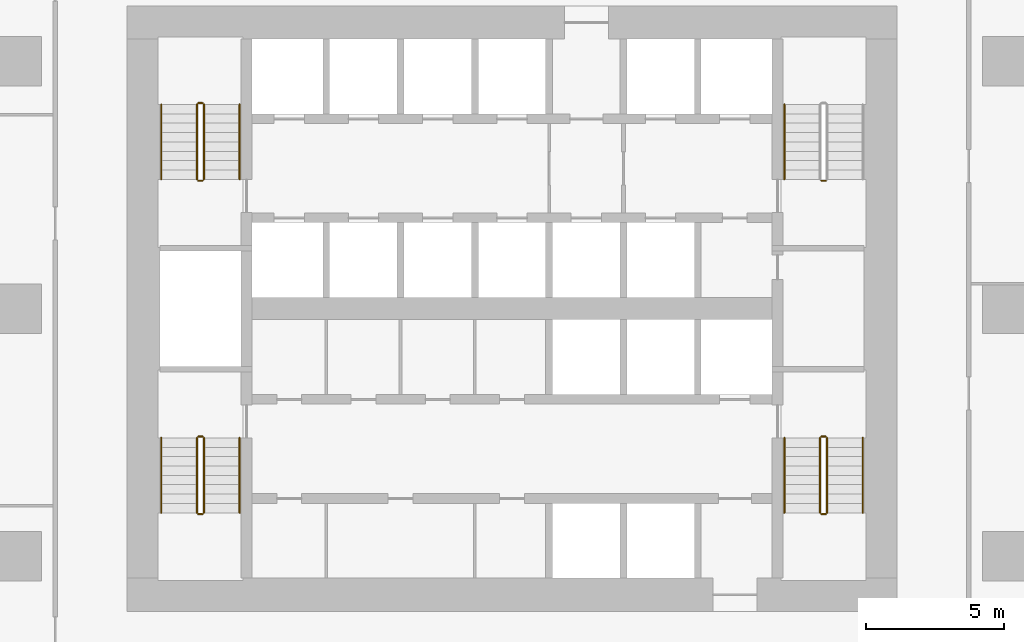
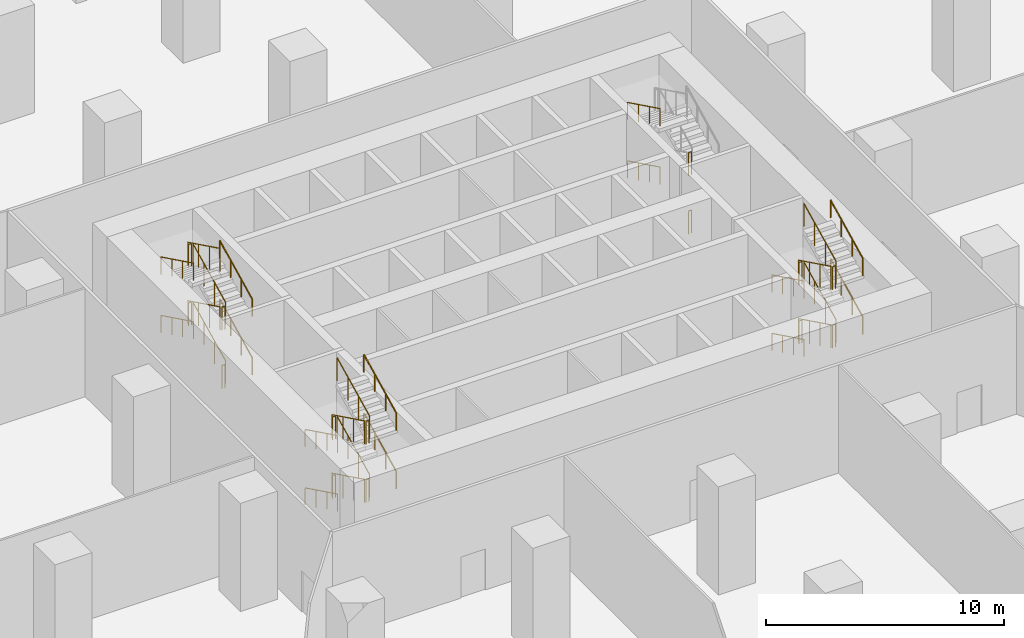
# One storey, part 14 of 15: 40 railings.
"""IFC4 building model written with IfcOpenShell, lengths in metres."""

from ifc_helpers import new_model, si_unit, direction, frame, origin, origin_2d, place, context, subcontext, project, spatial, circle, extrude, material, type_object, element, save


model = new_model("IFC4")

# Units and contexts
model_context = context("Model", 3, precision=1e-05, world=origin(), true_north=direction((0.0, 1.0)))
body_context = subcontext(model_context, "Body", "Model", "MODEL_VIEW")
ifc_project = project(units=[si_unit("LENGTHUNIT", "METRE"), si_unit("AREAUNIT", "SQUARE_METRE"), si_unit("VOLUMEUNIT", "CUBIC_METRE"), si_unit("PLANEANGLEUNIT", "RADIAN"), si_unit("MASSUNIT", "GRAM", prefix="KILO")], contexts=[model_context])

# Site, building, storey
site_placement = place(None, origin())
site = spatial("IfcSite", under=ifc_project, at=site_placement, CompositionType="ELEMENT")
building_placement = place(site_placement, origin())
building = spatial("IfcBuilding", under=site, at=building_placement, Name="Dongbaek Canopy Tower", CompositionType="ELEMENT")
storey_placement = place(building_placement, frame((0.0, 0.0, 27.0)))
storey = spatial("IfcBuildingStorey", under=building, at=storey_placement, Name="L03", CompositionType="ELEMENT", Elevation=27.0)

# Railings
ifc_material_1 = material(Name="Stainless steel tube and balusters", Category="steel")
railing_type_1 = type_object("IfcRailingType", Name="Stair guard 1200", PredefinedType="GUARDRAIL", material=ifc_material_1)
for number, where, name in (
    (1, (11.39990234375, 4.64990234375, 3.0), "L03 ST-A stair guard 4"),
    (2, (11.39990234375, 4.64990234375, 0.0), "L03 ST-A stair guard 8"),
):
    element("IfcRailing", number, at=place(storey_placement, frame(where)), inside=storey, type_object=railing_type_1, Name=name, PredefinedType="GUARDRAIL", context=body_context, shape_type="SweptSolid", body=[
        extrude(circle(Radius=0.02392578125, at=origin_2d()), frame((0.0, 0.0, 1.17578125), z_axis=(-1.0, 0.0, 0.0), x_axis=(0.0, -1.0, 0.0)), (0.0, 0.0, 1.0), 0.14990234375),
        extrude(circle(Radius=0.02099609375, at=origin_2d()), origin(), (0.0, 0.0, 1.0), 1.15185546875),
        extrude(circle(Radius=0.02099609375, at=origin_2d()), frame((-0.14990234375, 0.0, 0.0)), (0.0, 0.0, 1.0), 1.15185546875),
    ])
railing_1_placement = place(storey_placement, frame((-11.199951171875, 4.699951171875, 0.166748046875)))
element("IfcRailing", 3, at=railing_1_placement, inside=storey, type_object=railing_type_1, Name="L03 ST-C stair guard 1", PredefinedType="GUARDRAIL", context=body_context, shape_type="SweptSolid", body=[
    extrude(circle(Radius=0.02392578125, at=origin_2d()), frame((0.0, 0.0, 1.17578125), z_axis=(0.0, 0.897929466783, 0.4401393787), x_axis=(-1.0, 0.0, 0.0)), (0.0, 0.0, 1.0), 3.029052734375),
    extrude(circle(Radius=0.02099609375, at=origin_2d()), origin(), (0.0, 0.0, 1.0), 1.15185546875),
    extrude(circle(Radius=0.02099609375, at=origin_2d()), frame((0.0, 0.90673828125, 0.4443359375)), (0.0, 0.0, 1.0), 1.15185546875),
    extrude(circle(Radius=0.02099609375, at=origin_2d()), frame((0.0, 1.813232421875, 0.888916015625)), (0.0, 0.0, 1.0), 1.15185546875),
    extrude(circle(Radius=0.02099609375, at=origin_2d()), frame((0.0, 2.719970703125, 1.333251953125)), (0.0, 0.0, 1.0), 1.15185546875),
])
railing_2_placement = place(storey_placement, frame((-11.25, 7.469970703125, 1.5)))
element("IfcRailing", 4, at=railing_2_placement, inside=storey, type_object=railing_type_1, Name="L03 ST-C stair guard 2", PredefinedType="GUARDRAIL", context=body_context, shape_type="SweptSolid", body=[
    extrude(circle(Radius=0.02392578125, at=origin_2d()), frame((0.0, 0.0, 1.17578125), z_axis=(-1.0, 0.0, 0.0), x_axis=(0.0, -1.0, 0.0)), (0.0, 0.0, 1.0), 0.14990234375),
    extrude(circle(Radius=0.02099609375, at=origin_2d()), origin(), (0.0, 0.0, 1.0), 1.15185546875),
    extrude(circle(Radius=0.02099609375, at=origin_2d()), frame((-0.14990234375, 0.0, 0.0)), (0.0, 0.0, 1.0), 1.15185546875),
])
railing_3_placement = place(storey_placement, frame((-11.449951171875, 7.419921875, 1.666748046875)))
element("IfcRailing", 5, at=railing_3_placement, inside=storey, type_object=railing_type_1, Name="L03 ST-C stair guard 3", PredefinedType="GUARDRAIL", context=body_context, shape_type="SweptSolid", body=[
    extrude(circle(Radius=0.02392578125, at=origin_2d()), frame((0.0, 0.0, 1.17578125), z_axis=(0.0, -0.897929466783, 0.4401393787), x_axis=(1.0, 0.0, 0.0)), (0.0, 0.0, 1.0), 3.029052734375),
    extrude(circle(Radius=0.02099609375, at=origin_2d()), origin(), (0.0, 0.0, 1.0), 1.15185546875),
    extrude(circle(Radius=0.02099609375, at=origin_2d()), frame((0.0, -0.90673828125, 0.4443359375)), (0.0, 0.0, 1.0), 1.15185546875),
    extrude(circle(Radius=0.02099609375, at=origin_2d()), frame((0.0, -1.813232421875, 0.888916015625)), (0.0, 0.0, 1.0), 1.15185546875),
    extrude(circle(Radius=0.02099609375, at=origin_2d()), frame((0.0, -2.719970703125, 1.333251953125)), (0.0, 0.0, 1.0), 1.15185546875),
])
railing_4_placement = place(storey_placement, frame((-11.25, 4.64990234375, 3.0)))
element("IfcRailing", 6, at=railing_4_placement, inside=storey, type_object=railing_type_1, Name="L03 ST-C stair guard 4", PredefinedType="GUARDRAIL", context=body_context, shape_type="SweptSolid", body=[
    extrude(circle(Radius=0.02392578125, at=origin_2d()), frame((0.0, 0.0, 1.17578125), z_axis=(-1.0, 0.0, 0.0), x_axis=(0.0, -1.0, 0.0)), (0.0, 0.0, 1.0), 0.14990234375),
    extrude(circle(Radius=0.02099609375, at=origin_2d()), origin(), (0.0, 0.0, 1.0), 1.15185546875),
    extrude(circle(Radius=0.02099609375, at=origin_2d()), frame((-0.14990234375, 0.0, 0.0)), (0.0, 0.0, 1.0), 1.15185546875),
])
railing_5_placement = place(storey_placement, frame((-11.199951171875, 4.699951171875, 3.166748046875)))
element("IfcRailing", 7, at=railing_5_placement, inside=storey, type_object=railing_type_1, Name="L03 ST-C stair guard 5", PredefinedType="GUARDRAIL", context=body_context, shape_type="SweptSolid", body=[
    extrude(circle(Radius=0.02392578125, at=origin_2d()), frame((0.0, 0.0, 1.17578125), z_axis=(0.0, 0.897929466783, 0.4401393787), x_axis=(-1.0, 0.0, 0.0)), (0.0, 0.0, 1.0), 3.029052734375),
    extrude(circle(Radius=0.02099609375, at=origin_2d()), origin(), (0.0, 0.0, 1.0), 1.15185546875),
    extrude(circle(Radius=0.02099609375, at=origin_2d()), frame((0.0, 0.90673828125, 0.4443359375)), (0.0, 0.0, 1.0), 1.15185546875),
    extrude(circle(Radius=0.02099609375, at=origin_2d()), frame((0.0, 1.813232421875, 0.888916015625)), (0.0, 0.0, 1.0), 1.15185546875),
    extrude(circle(Radius=0.02099609375, at=origin_2d()), frame((0.0, 2.719970703125, 1.333251953125)), (0.0, 0.0, 1.0), 1.15185546875),
])
railing_6_placement = place(storey_placement, frame((-11.25, 7.469970703125, 4.5)))
element("IfcRailing", 8, at=railing_6_placement, inside=storey, type_object=railing_type_1, Name="L03 ST-C stair guard 6", PredefinedType="GUARDRAIL", context=body_context, shape_type="SweptSolid", body=[
    extrude(circle(Radius=0.02392578125, at=origin_2d()), frame((0.0, 0.0, 1.17578125), z_axis=(-1.0, 0.0, 0.0), x_axis=(0.0, -1.0, 0.0)), (0.0, 0.0, 1.0), 0.14990234375),
    extrude(circle(Radius=0.02099609375, at=origin_2d()), origin(), (0.0, 0.0, 1.0), 1.15185546875),
    extrude(circle(Radius=0.02099609375, at=origin_2d()), frame((-0.14990234375, 0.0, 0.0)), (0.0, 0.0, 1.0), 1.15185546875),
])
railing_7_placement = place(storey_placement, frame((-11.449951171875, 7.419921875, 4.666748046875)))
element("IfcRailing", 9, at=railing_7_placement, inside=storey, type_object=railing_type_1, Name="L03 ST-C stair guard 7", PredefinedType="GUARDRAIL", context=body_context, shape_type="SweptSolid", body=[
    extrude(circle(Radius=0.02392578125, at=origin_2d()), frame((0.0, 0.0, 1.17578125), z_axis=(0.0, -0.897929466783, 0.4401393787), x_axis=(1.0, 0.0, 0.0)), (0.0, 0.0, 1.0), 3.029052734375),
    extrude(circle(Radius=0.02099609375, at=origin_2d()), origin(), (0.0, 0.0, 1.0), 1.15185546875),
    extrude(circle(Radius=0.02099609375, at=origin_2d()), frame((0.0, -0.90673828125, 0.4443359375)), (0.0, 0.0, 1.0), 1.15185546875),
    extrude(circle(Radius=0.02099609375, at=origin_2d()), frame((0.0, -1.813232421875, 0.888916015625)), (0.0, 0.0, 1.0), 1.15185546875),
    extrude(circle(Radius=0.02099609375, at=origin_2d()), frame((0.0, -2.719970703125, 1.333251953125)), (0.0, 0.0, 1.0), 1.15185546875),
])
railing_8_placement = place(storey_placement, frame((-11.25, 4.64990234375, 0.0)))
element("IfcRailing", 10, at=railing_8_placement, inside=storey, type_object=railing_type_1, Name="L03 ST-C stair guard 8", PredefinedType="GUARDRAIL", context=body_context, shape_type="SweptSolid", body=[
    extrude(circle(Radius=0.02392578125, at=origin_2d()), frame((0.0, 0.0, 1.17578125), z_axis=(-1.0, 0.0, 0.0), x_axis=(0.0, -1.0, 0.0)), (0.0, 0.0, 1.0), 0.14990234375),
    extrude(circle(Radius=0.02099609375, at=origin_2d()), origin(), (0.0, 0.0, 1.0), 1.15185546875),
    extrude(circle(Radius=0.02099609375, at=origin_2d()), frame((-0.14990234375, 0.0, 0.0)), (0.0, 0.0, 1.0), 1.15185546875),
])
railing_9_placement = place(storey_placement, frame((11.199951171875, -4.699951171875, 0.166748046875)))
element("IfcRailing", 11, at=railing_9_placement, inside=storey, type_object=railing_type_1, Name="L03 ST-B stair guard 1", PredefinedType="GUARDRAIL", context=body_context, shape_type="SweptSolid", body=[
    extrude(circle(Radius=0.02392578125, at=origin_2d()), frame((0.0, 0.0, 1.17578125), z_axis=(0.0, -0.897929466783, 0.4401393787), x_axis=(1.0, 0.0, 0.0)), (0.0, 0.0, 1.0), 3.029052734375),
    extrude(circle(Radius=0.02099609375, at=origin_2d()), origin(), (0.0, 0.0, 1.0), 1.15185546875),
    extrude(circle(Radius=0.02099609375, at=origin_2d()), frame((0.0, -0.90673828125, 0.4443359375)), (0.0, 0.0, 1.0), 1.15185546875),
    extrude(circle(Radius=0.02099609375, at=origin_2d()), frame((0.0, -1.813232421875, 0.888916015625)), (0.0, 0.0, 1.0), 1.15185546875),
    extrude(circle(Radius=0.02099609375, at=origin_2d()), frame((0.0, -2.719970703125, 1.333251953125)), (0.0, 0.0, 1.0), 1.15185546875),
])
railing_10_placement = place(storey_placement, frame((11.25, -7.469970703125, 1.5)))
element("IfcRailing", 12, at=railing_10_placement, inside=storey, type_object=railing_type_1, Name="L03 ST-B stair guard 2", PredefinedType="GUARDRAIL", context=body_context, shape_type="SweptSolid", body=[
    extrude(circle(Radius=0.02392578125, at=origin_2d()), frame((0.0, 0.0, 1.17578125), z_axis=(1.0, 0.0, 0.0), x_axis=(0.0, 1.0, 0.0)), (0.0, 0.0, 1.0), 0.14990234375),
    extrude(circle(Radius=0.02099609375, at=origin_2d()), origin(), (0.0, 0.0, 1.0), 1.15185546875),
    extrude(circle(Radius=0.02099609375, at=origin_2d()), frame((0.14990234375, 0.0, 0.0)), (0.0, 0.0, 1.0), 1.15185546875),
])
railing_11_placement = place(storey_placement, frame((11.449951171875, -7.419921875, 1.666748046875)))
element("IfcRailing", 13, at=railing_11_placement, inside=storey, type_object=railing_type_1, Name="L03 ST-B stair guard 3", PredefinedType="GUARDRAIL", context=body_context, shape_type="SweptSolid", body=[
    extrude(circle(Radius=0.02392578125, at=origin_2d()), frame((0.0, 0.0, 1.17578125), z_axis=(0.0, 0.897929466783, 0.4401393787), x_axis=(-1.0, 0.0, 0.0)), (0.0, 0.0, 1.0), 3.029052734375),
    extrude(circle(Radius=0.02099609375, at=origin_2d()), origin(), (0.0, 0.0, 1.0), 1.15185546875),
    extrude(circle(Radius=0.02099609375, at=origin_2d()), frame((0.0, 0.90673828125, 0.4443359375)), (0.0, 0.0, 1.0), 1.15185546875),
    extrude(circle(Radius=0.02099609375, at=origin_2d()), frame((0.0, 1.813232421875, 0.888916015625)), (0.0, 0.0, 1.0), 1.15185546875),
    extrude(circle(Radius=0.02099609375, at=origin_2d()), frame((0.0, 2.719970703125, 1.333251953125)), (0.0, 0.0, 1.0), 1.15185546875),
])
railing_12_placement = place(storey_placement, frame((11.25, -4.64990234375, 3.0)))
element("IfcRailing", 14, at=railing_12_placement, inside=storey, type_object=railing_type_1, Name="L03 ST-B stair guard 4", PredefinedType="GUARDRAIL", context=body_context, shape_type="SweptSolid", body=[
    extrude(circle(Radius=0.02392578125, at=origin_2d()), frame((0.0, 0.0, 1.17578125), z_axis=(1.0, 0.0, 0.0), x_axis=(0.0, 1.0, 0.0)), (0.0, 0.0, 1.0), 0.14990234375),
    extrude(circle(Radius=0.02099609375, at=origin_2d()), origin(), (0.0, 0.0, 1.0), 1.15185546875),
    extrude(circle(Radius=0.02099609375, at=origin_2d()), frame((0.14990234375, 0.0, 0.0)), (0.0, 0.0, 1.0), 1.15185546875),
])
railing_13_placement = place(storey_placement, frame((11.199951171875, -4.699951171875, 3.166748046875)))
element("IfcRailing", 15, at=railing_13_placement, inside=storey, type_object=railing_type_1, Name="L03 ST-B stair guard 5", PredefinedType="GUARDRAIL", context=body_context, shape_type="SweptSolid", body=[
    extrude(circle(Radius=0.02392578125, at=origin_2d()), frame((0.0, 0.0, 1.17578125), z_axis=(0.0, -0.897929466783, 0.4401393787), x_axis=(1.0, 0.0, 0.0)), (0.0, 0.0, 1.0), 3.029052734375),
    extrude(circle(Radius=0.02099609375, at=origin_2d()), origin(), (0.0, 0.0, 1.0), 1.15185546875),
    extrude(circle(Radius=0.02099609375, at=origin_2d()), frame((0.0, -0.90673828125, 0.4443359375)), (0.0, 0.0, 1.0), 1.15185546875),
    extrude(circle(Radius=0.02099609375, at=origin_2d()), frame((0.0, -1.813232421875, 0.888916015625)), (0.0, 0.0, 1.0), 1.15185546875),
    extrude(circle(Radius=0.02099609375, at=origin_2d()), frame((0.0, -2.719970703125, 1.333251953125)), (0.0, 0.0, 1.0), 1.15185546875),
])
railing_14_placement = place(storey_placement, frame((11.25, -7.469970703125, 4.5)))
element("IfcRailing", 16, at=railing_14_placement, inside=storey, type_object=railing_type_1, Name="L03 ST-B stair guard 6", PredefinedType="GUARDRAIL", context=body_context, shape_type="SweptSolid", body=[
    extrude(circle(Radius=0.02392578125, at=origin_2d()), frame((0.0, 0.0, 1.17578125), z_axis=(1.0, 0.0, 0.0), x_axis=(0.0, 1.0, 0.0)), (0.0, 0.0, 1.0), 0.14990234375),
    extrude(circle(Radius=0.02099609375, at=origin_2d()), origin(), (0.0, 0.0, 1.0), 1.15185546875),
    extrude(circle(Radius=0.02099609375, at=origin_2d()), frame((0.14990234375, 0.0, 0.0)), (0.0, 0.0, 1.0), 1.15185546875),
])
railing_15_placement = place(storey_placement, frame((11.449951171875, -7.419921875, 4.666748046875)))
element("IfcRailing", 17, at=railing_15_placement, inside=storey, type_object=railing_type_1, Name="L03 ST-B stair guard 7", PredefinedType="GUARDRAIL", context=body_context, shape_type="SweptSolid", body=[
    extrude(circle(Radius=0.02392578125, at=origin_2d()), frame((0.0, 0.0, 1.17578125), z_axis=(0.0, 0.897929466783, 0.4401393787), x_axis=(-1.0, 0.0, 0.0)), (0.0, 0.0, 1.0), 3.029052734375),
    extrude(circle(Radius=0.02099609375, at=origin_2d()), origin(), (0.0, 0.0, 1.0), 1.15185546875),
    extrude(circle(Radius=0.02099609375, at=origin_2d()), frame((0.0, 0.90673828125, 0.4443359375)), (0.0, 0.0, 1.0), 1.15185546875),
    extrude(circle(Radius=0.02099609375, at=origin_2d()), frame((0.0, 1.813232421875, 0.888916015625)), (0.0, 0.0, 1.0), 1.15185546875),
    extrude(circle(Radius=0.02099609375, at=origin_2d()), frame((0.0, 2.719970703125, 1.333251953125)), (0.0, 0.0, 1.0), 1.15185546875),
])
railing_16_placement = place(storey_placement, frame((11.25, -4.64990234375, 0.0)))
element("IfcRailing", 18, at=railing_16_placement, inside=storey, type_object=railing_type_1, Name="L03 ST-B stair guard 8", PredefinedType="GUARDRAIL", context=body_context, shape_type="SweptSolid", body=[
    extrude(circle(Radius=0.02392578125, at=origin_2d()), frame((0.0, 0.0, 1.17578125), z_axis=(1.0, 0.0, 0.0), x_axis=(0.0, 1.0, 0.0)), (0.0, 0.0, 1.0), 0.14990234375),
    extrude(circle(Radius=0.02099609375, at=origin_2d()), origin(), (0.0, 0.0, 1.0), 1.15185546875),
    extrude(circle(Radius=0.02099609375, at=origin_2d()), frame((0.14990234375, 0.0, 0.0)), (0.0, 0.0, 1.0), 1.15185546875),
])
railing_17_placement = place(storey_placement, frame((-11.449951171875, -4.699951171875, 0.166748046875)))
element("IfcRailing", 19, at=railing_17_placement, inside=storey, type_object=railing_type_1, Name="L03 ST-D stair guard 1", PredefinedType="GUARDRAIL", context=body_context, shape_type="SweptSolid", body=[
    extrude(circle(Radius=0.02392578125, at=origin_2d()), frame((0.0, 0.0, 1.17578125), z_axis=(0.0, -0.897929466783, 0.4401393787), x_axis=(1.0, 0.0, 0.0)), (0.0, 0.0, 1.0), 3.029052734375),
    extrude(circle(Radius=0.02099609375, at=origin_2d()), origin(), (0.0, 0.0, 1.0), 1.15185546875),
    extrude(circle(Radius=0.02099609375, at=origin_2d()), frame((0.0, -0.90673828125, 0.4443359375)), (0.0, 0.0, 1.0), 1.15185546875),
    extrude(circle(Radius=0.02099609375, at=origin_2d()), frame((0.0, -1.813232421875, 0.888916015625)), (0.0, 0.0, 1.0), 1.15185546875),
    extrude(circle(Radius=0.02099609375, at=origin_2d()), frame((0.0, -2.719970703125, 1.333251953125)), (0.0, 0.0, 1.0), 1.15185546875),
])
railing_18_placement = place(storey_placement, frame((-11.39990234375, -7.469970703125, 1.5)))
element("IfcRailing", 20, at=railing_18_placement, inside=storey, type_object=railing_type_1, Name="L03 ST-D stair guard 2", PredefinedType="GUARDRAIL", context=body_context, shape_type="SweptSolid", body=[
    extrude(circle(Radius=0.02392578125, at=origin_2d()), frame((0.0, 0.0, 1.17578125), z_axis=(1.0, 0.0, 0.0), x_axis=(0.0, 1.0, 0.0)), (0.0, 0.0, 1.0), 0.14990234375),
    extrude(circle(Radius=0.02099609375, at=origin_2d()), origin(), (0.0, 0.0, 1.0), 1.15185546875),
    extrude(circle(Radius=0.02099609375, at=origin_2d()), frame((0.14990234375, 0.0, 0.0)), (0.0, 0.0, 1.0), 1.15185546875),
])
railing_19_placement = place(storey_placement, frame((-11.199951171875, -7.419921875, 1.666748046875)))
element("IfcRailing", 21, at=railing_19_placement, inside=storey, type_object=railing_type_1, Name="L03 ST-D stair guard 3", PredefinedType="GUARDRAIL", context=body_context, shape_type="SweptSolid", body=[
    extrude(circle(Radius=0.02392578125, at=origin_2d()), frame((0.0, 0.0, 1.17578125), z_axis=(0.0, 0.897929466783, 0.4401393787), x_axis=(-1.0, 0.0, 0.0)), (0.0, 0.0, 1.0), 3.029052734375),
    extrude(circle(Radius=0.02099609375, at=origin_2d()), origin(), (0.0, 0.0, 1.0), 1.15185546875),
    extrude(circle(Radius=0.02099609375, at=origin_2d()), frame((0.0, 0.90673828125, 0.4443359375)), (0.0, 0.0, 1.0), 1.15185546875),
    extrude(circle(Radius=0.02099609375, at=origin_2d()), frame((0.0, 1.813232421875, 0.888916015625)), (0.0, 0.0, 1.0), 1.15185546875),
    extrude(circle(Radius=0.02099609375, at=origin_2d()), frame((0.0, 2.719970703125, 1.333251953125)), (0.0, 0.0, 1.0), 1.15185546875),
])
railing_20_placement = place(storey_placement, frame((-11.39990234375, -4.64990234375, 3.0)))
element("IfcRailing", 22, at=railing_20_placement, inside=storey, type_object=railing_type_1, Name="L03 ST-D stair guard 4", PredefinedType="GUARDRAIL", context=body_context, shape_type="SweptSolid", body=[
    extrude(circle(Radius=0.02392578125, at=origin_2d()), frame((0.0, 0.0, 1.17578125), z_axis=(1.0, 0.0, 0.0), x_axis=(0.0, 1.0, 0.0)), (0.0, 0.0, 1.0), 0.14990234375),
    extrude(circle(Radius=0.02099609375, at=origin_2d()), origin(), (0.0, 0.0, 1.0), 1.15185546875),
    extrude(circle(Radius=0.02099609375, at=origin_2d()), frame((0.14990234375, 0.0, 0.0)), (0.0, 0.0, 1.0), 1.15185546875),
])
railing_21_placement = place(storey_placement, frame((-11.449951171875, -4.699951171875, 3.166748046875)))
element("IfcRailing", 23, at=railing_21_placement, inside=storey, type_object=railing_type_1, Name="L03 ST-D stair guard 5", PredefinedType="GUARDRAIL", context=body_context, shape_type="SweptSolid", body=[
    extrude(circle(Radius=0.02392578125, at=origin_2d()), frame((0.0, 0.0, 1.17578125), z_axis=(0.0, -0.897929466783, 0.4401393787), x_axis=(1.0, 0.0, 0.0)), (0.0, 0.0, 1.0), 3.029052734375),
    extrude(circle(Radius=0.02099609375, at=origin_2d()), origin(), (0.0, 0.0, 1.0), 1.15185546875),
    extrude(circle(Radius=0.02099609375, at=origin_2d()), frame((0.0, -0.90673828125, 0.4443359375)), (0.0, 0.0, 1.0), 1.15185546875),
    extrude(circle(Radius=0.02099609375, at=origin_2d()), frame((0.0, -1.813232421875, 0.888916015625)), (0.0, 0.0, 1.0), 1.15185546875),
    extrude(circle(Radius=0.02099609375, at=origin_2d()), frame((0.0, -2.719970703125, 1.333251953125)), (0.0, 0.0, 1.0), 1.15185546875),
])
railing_22_placement = place(storey_placement, frame((-11.39990234375, -7.469970703125, 4.5)))
element("IfcRailing", 24, at=railing_22_placement, inside=storey, type_object=railing_type_1, Name="L03 ST-D stair guard 6", PredefinedType="GUARDRAIL", context=body_context, shape_type="SweptSolid", body=[
    extrude(circle(Radius=0.02392578125, at=origin_2d()), frame((0.0, 0.0, 1.17578125), z_axis=(1.0, 0.0, 0.0), x_axis=(0.0, 1.0, 0.0)), (0.0, 0.0, 1.0), 0.14990234375),
    extrude(circle(Radius=0.02099609375, at=origin_2d()), origin(), (0.0, 0.0, 1.0), 1.15185546875),
    extrude(circle(Radius=0.02099609375, at=origin_2d()), frame((0.14990234375, 0.0, 0.0)), (0.0, 0.0, 1.0), 1.15185546875),
])
railing_23_placement = place(storey_placement, frame((-11.199951171875, -7.419921875, 4.666748046875)))
element("IfcRailing", 25, at=railing_23_placement, inside=storey, type_object=railing_type_1, Name="L03 ST-D stair guard 7", PredefinedType="GUARDRAIL", context=body_context, shape_type="SweptSolid", body=[
    extrude(circle(Radius=0.02392578125, at=origin_2d()), frame((0.0, 0.0, 1.17578125), z_axis=(0.0, 0.897929466783, 0.4401393787), x_axis=(-1.0, 0.0, 0.0)), (0.0, 0.0, 1.0), 3.029052734375),
    extrude(circle(Radius=0.02099609375, at=origin_2d()), origin(), (0.0, 0.0, 1.0), 1.15185546875),
    extrude(circle(Radius=0.02099609375, at=origin_2d()), frame((0.0, 0.90673828125, 0.4443359375)), (0.0, 0.0, 1.0), 1.15185546875),
    extrude(circle(Radius=0.02099609375, at=origin_2d()), frame((0.0, 1.813232421875, 0.888916015625)), (0.0, 0.0, 1.0), 1.15185546875),
    extrude(circle(Radius=0.02099609375, at=origin_2d()), frame((0.0, 2.719970703125, 1.333251953125)), (0.0, 0.0, 1.0), 1.15185546875),
])
railing_24_placement = place(storey_placement, frame((-11.39990234375, -4.64990234375, 0.0)))
element("IfcRailing", 26, at=railing_24_placement, inside=storey, type_object=railing_type_1, Name="L03 ST-D stair guard 8", PredefinedType="GUARDRAIL", context=body_context, shape_type="SweptSolid", body=[
    extrude(circle(Radius=0.02392578125, at=origin_2d()), frame((0.0, 0.0, 1.17578125), z_axis=(1.0, 0.0, 0.0), x_axis=(0.0, 1.0, 0.0)), (0.0, 0.0, 1.0), 0.14990234375),
    extrude(circle(Radius=0.02099609375, at=origin_2d()), origin(), (0.0, 0.0, 1.0), 1.15185546875),
    extrude(circle(Radius=0.02099609375, at=origin_2d()), frame((0.14990234375, 0.0, 0.0)), (0.0, 0.0, 1.0), 1.15185546875),
])
ifc_material_2 = material(Name="Stainless steel tube", Category="steel")
railing_type_2 = type_object("IfcRailingType", Name="Stair handrail 900", PredefinedType="HANDRAIL", material=ifc_material_2)
for number, where, name in (
    (27, (9.89990234375, 7.419921875, 1.666748046875), "L03 ST-A stair handrail 2"),
    (28, (9.89990234375, 7.419921875, 4.666748046875), "L03 ST-A stair handrail 4"),
):
    element("IfcRailing", number, at=place(storey_placement, frame(where)), inside=storey, type_object=railing_type_2, Name=name, PredefinedType="HANDRAIL", context=body_context, shape_type="SweptSolid", body=[
        extrude(circle(Radius=0.02392578125, at=origin_2d()), frame((0.0, 0.0, 0.8759765625), z_axis=(0.0, -0.897929466783, 0.4401393787), x_axis=(1.0, 0.0, 0.0)), (0.0, 0.0, 1.0), 3.029052734375),
        extrude(circle(Radius=0.02099609375, at=origin_2d()), origin(), (0.0, 0.0, 1.0), 0.851806640625),
        extrude(circle(Radius=0.02099609375, at=origin_2d()), frame((0.0, -0.90673828125, 0.4443359375)), (0.0, 0.0, 1.0), 0.851806640625),
        extrude(circle(Radius=0.02099609375, at=origin_2d()), frame((0.0, -1.813232421875, 0.888916015625)), (0.0, 0.0, 1.0), 0.851806640625),
        extrude(circle(Radius=0.02099609375, at=origin_2d()), frame((0.0, -2.719970703125, 1.333251953125)), (0.0, 0.0, 1.0), 0.851806640625),
    ])
railing_25_placement = place(storey_placement, frame((-9.89990234375, 4.699951171875, 0.166748046875)))
element("IfcRailing", 29, at=railing_25_placement, inside=storey, type_object=railing_type_2, Name="L03 ST-C stair handrail 1", PredefinedType="HANDRAIL", context=body_context, shape_type="SweptSolid", body=[
    extrude(circle(Radius=0.02392578125, at=origin_2d()), frame((0.0, 0.0, 0.8759765625), z_axis=(0.0, 0.897929466783, 0.4401393787), x_axis=(-1.0, 0.0, 0.0)), (0.0, 0.0, 1.0), 3.029052734375),
    extrude(circle(Radius=0.02099609375, at=origin_2d()), origin(), (0.0, 0.0, 1.0), 0.851806640625),
    extrude(circle(Radius=0.02099609375, at=origin_2d()), frame((0.0, 0.90673828125, 0.4443359375)), (0.0, 0.0, 1.0), 0.851806640625),
    extrude(circle(Radius=0.02099609375, at=origin_2d()), frame((0.0, 1.813232421875, 0.888916015625)), (0.0, 0.0, 1.0), 0.851806640625),
    extrude(circle(Radius=0.02099609375, at=origin_2d()), frame((0.0, 2.719970703125, 1.333251953125)), (0.0, 0.0, 1.0), 0.851806640625),
])
railing_26_placement = place(storey_placement, frame((-12.75, 7.419921875, 1.666748046875)))
element("IfcRailing", 30, at=railing_26_placement, inside=storey, type_object=railing_type_2, Name="L03 ST-C stair handrail 2", PredefinedType="HANDRAIL", context=body_context, shape_type="SweptSolid", body=[
    extrude(circle(Radius=0.02392578125, at=origin_2d()), frame((0.0, 0.0, 0.8759765625), z_axis=(0.0, -0.897929466783, 0.4401393787), x_axis=(1.0, 0.0, 0.0)), (0.0, 0.0, 1.0), 3.029052734375),
    extrude(circle(Radius=0.02099609375, at=origin_2d()), origin(), (0.0, 0.0, 1.0), 0.851806640625),
    extrude(circle(Radius=0.02099609375, at=origin_2d()), frame((0.0, -0.90673828125, 0.4443359375)), (0.0, 0.0, 1.0), 0.851806640625),
    extrude(circle(Radius=0.02099609375, at=origin_2d()), frame((0.0, -1.813232421875, 0.888916015625)), (0.0, 0.0, 1.0), 0.851806640625),
    extrude(circle(Radius=0.02099609375, at=origin_2d()), frame((0.0, -2.719970703125, 1.333251953125)), (0.0, 0.0, 1.0), 0.851806640625),
])
railing_27_placement = place(storey_placement, frame((-9.89990234375, 4.699951171875, 3.166748046875)))
element("IfcRailing", 31, at=railing_27_placement, inside=storey, type_object=railing_type_2, Name="L03 ST-C stair handrail 3", PredefinedType="HANDRAIL", context=body_context, shape_type="SweptSolid", body=[
    extrude(circle(Radius=0.02392578125, at=origin_2d()), frame((0.0, 0.0, 0.8759765625), z_axis=(0.0, 0.897929466783, 0.4401393787), x_axis=(-1.0, 0.0, 0.0)), (0.0, 0.0, 1.0), 3.029052734375),
    extrude(circle(Radius=0.02099609375, at=origin_2d()), origin(), (0.0, 0.0, 1.0), 0.851806640625),
    extrude(circle(Radius=0.02099609375, at=origin_2d()), frame((0.0, 0.90673828125, 0.4443359375)), (0.0, 0.0, 1.0), 0.851806640625),
    extrude(circle(Radius=0.02099609375, at=origin_2d()), frame((0.0, 1.813232421875, 0.888916015625)), (0.0, 0.0, 1.0), 0.851806640625),
    extrude(circle(Radius=0.02099609375, at=origin_2d()), frame((0.0, 2.719970703125, 1.333251953125)), (0.0, 0.0, 1.0), 0.851806640625),
])
for number, where, name in (
    (32, (-12.75, 7.419921875, 4.666748046875), "L03 ST-C stair handrail 4"),
    (33, (9.89990234375, -4.699951171875, 0.166748046875), "L03 ST-B stair handrail 1"),
):
    element("IfcRailing", number, at=place(storey_placement, frame(where)), inside=storey, type_object=railing_type_2, Name=name, PredefinedType="HANDRAIL", context=body_context, shape_type="SweptSolid", body=[
        extrude(circle(Radius=0.02392578125, at=origin_2d()), frame((0.0, 0.0, 0.8759765625), z_axis=(0.0, -0.897929466783, 0.4401393787), x_axis=(1.0, 0.0, 0.0)), (0.0, 0.0, 1.0), 3.029052734375),
        extrude(circle(Radius=0.02099609375, at=origin_2d()), origin(), (0.0, 0.0, 1.0), 0.851806640625),
        extrude(circle(Radius=0.02099609375, at=origin_2d()), frame((0.0, -0.90673828125, 0.4443359375)), (0.0, 0.0, 1.0), 0.851806640625),
        extrude(circle(Radius=0.02099609375, at=origin_2d()), frame((0.0, -1.813232421875, 0.888916015625)), (0.0, 0.0, 1.0), 0.851806640625),
        extrude(circle(Radius=0.02099609375, at=origin_2d()), frame((0.0, -2.719970703125, 1.333251953125)), (0.0, 0.0, 1.0), 0.851806640625),
    ])
railing_28_placement = place(storey_placement, frame((12.75, -7.419921875, 1.666748046875)))
element("IfcRailing", 34, at=railing_28_placement, inside=storey, type_object=railing_type_2, Name="L03 ST-B stair handrail 2", PredefinedType="HANDRAIL", context=body_context, shape_type="SweptSolid", body=[
    extrude(circle(Radius=0.02392578125, at=origin_2d()), frame((0.0, 0.0, 0.8759765625), z_axis=(0.0, 0.897929466783, 0.4401393787), x_axis=(-1.0, 0.0, 0.0)), (0.0, 0.0, 1.0), 3.029052734375),
    extrude(circle(Radius=0.02099609375, at=origin_2d()), origin(), (0.0, 0.0, 1.0), 0.851806640625),
    extrude(circle(Radius=0.02099609375, at=origin_2d()), frame((0.0, 0.90673828125, 0.4443359375)), (0.0, 0.0, 1.0), 0.851806640625),
    extrude(circle(Radius=0.02099609375, at=origin_2d()), frame((0.0, 1.813232421875, 0.888916015625)), (0.0, 0.0, 1.0), 0.851806640625),
    extrude(circle(Radius=0.02099609375, at=origin_2d()), frame((0.0, 2.719970703125, 1.333251953125)), (0.0, 0.0, 1.0), 0.851806640625),
])
railing_29_placement = place(storey_placement, frame((9.89990234375, -4.699951171875, 3.166748046875)))
element("IfcRailing", 35, at=railing_29_placement, inside=storey, type_object=railing_type_2, Name="L03 ST-B stair handrail 3", PredefinedType="HANDRAIL", context=body_context, shape_type="SweptSolid", body=[
    extrude(circle(Radius=0.02392578125, at=origin_2d()), frame((0.0, 0.0, 0.8759765625), z_axis=(0.0, -0.897929466783, 0.4401393787), x_axis=(1.0, 0.0, 0.0)), (0.0, 0.0, 1.0), 3.029052734375),
    extrude(circle(Radius=0.02099609375, at=origin_2d()), origin(), (0.0, 0.0, 1.0), 0.851806640625),
    extrude(circle(Radius=0.02099609375, at=origin_2d()), frame((0.0, -0.90673828125, 0.4443359375)), (0.0, 0.0, 1.0), 0.851806640625),
    extrude(circle(Radius=0.02099609375, at=origin_2d()), frame((0.0, -1.813232421875, 0.888916015625)), (0.0, 0.0, 1.0), 0.851806640625),
    extrude(circle(Radius=0.02099609375, at=origin_2d()), frame((0.0, -2.719970703125, 1.333251953125)), (0.0, 0.0, 1.0), 0.851806640625),
])
railing_30_placement = place(storey_placement, frame((12.75, -7.419921875, 4.666748046875)))
element("IfcRailing", 36, at=railing_30_placement, inside=storey, type_object=railing_type_2, Name="L03 ST-B stair handrail 4", PredefinedType="HANDRAIL", context=body_context, shape_type="SweptSolid", body=[
    extrude(circle(Radius=0.02392578125, at=origin_2d()), frame((0.0, 0.0, 0.8759765625), z_axis=(0.0, 0.897929466783, 0.4401393787), x_axis=(-1.0, 0.0, 0.0)), (0.0, 0.0, 1.0), 3.029052734375),
    extrude(circle(Radius=0.02099609375, at=origin_2d()), origin(), (0.0, 0.0, 1.0), 0.851806640625),
    extrude(circle(Radius=0.02099609375, at=origin_2d()), frame((0.0, 0.90673828125, 0.4443359375)), (0.0, 0.0, 1.0), 0.851806640625),
    extrude(circle(Radius=0.02099609375, at=origin_2d()), frame((0.0, 1.813232421875, 0.888916015625)), (0.0, 0.0, 1.0), 0.851806640625),
    extrude(circle(Radius=0.02099609375, at=origin_2d()), frame((0.0, 2.719970703125, 1.333251953125)), (0.0, 0.0, 1.0), 0.851806640625),
])
railing_31_placement = place(storey_placement, frame((-12.75, -4.699951171875, 0.166748046875)))
element("IfcRailing", 37, at=railing_31_placement, inside=storey, type_object=railing_type_2, Name="L03 ST-D stair handrail 1", PredefinedType="HANDRAIL", context=body_context, shape_type="SweptSolid", body=[
    extrude(circle(Radius=0.02392578125, at=origin_2d()), frame((0.0, 0.0, 0.8759765625), z_axis=(0.0, -0.897929466783, 0.4401393787), x_axis=(1.0, 0.0, 0.0)), (0.0, 0.0, 1.0), 3.029052734375),
    extrude(circle(Radius=0.02099609375, at=origin_2d()), origin(), (0.0, 0.0, 1.0), 0.851806640625),
    extrude(circle(Radius=0.02099609375, at=origin_2d()), frame((0.0, -0.90673828125, 0.4443359375)), (0.0, 0.0, 1.0), 0.851806640625),
    extrude(circle(Radius=0.02099609375, at=origin_2d()), frame((0.0, -1.813232421875, 0.888916015625)), (0.0, 0.0, 1.0), 0.851806640625),
    extrude(circle(Radius=0.02099609375, at=origin_2d()), frame((0.0, -2.719970703125, 1.333251953125)), (0.0, 0.0, 1.0), 0.851806640625),
])
railing_32_placement = place(storey_placement, frame((-9.89990234375, -7.419921875, 1.666748046875)))
element("IfcRailing", 38, at=railing_32_placement, inside=storey, type_object=railing_type_2, Name="L03 ST-D stair handrail 2", PredefinedType="HANDRAIL", context=body_context, shape_type="SweptSolid", body=[
    extrude(circle(Radius=0.02392578125, at=origin_2d()), frame((0.0, 0.0, 0.8759765625), z_axis=(0.0, 0.897929466783, 0.4401393787), x_axis=(-1.0, 0.0, 0.0)), (0.0, 0.0, 1.0), 3.029052734375),
    extrude(circle(Radius=0.02099609375, at=origin_2d()), origin(), (0.0, 0.0, 1.0), 0.851806640625),
    extrude(circle(Radius=0.02099609375, at=origin_2d()), frame((0.0, 0.90673828125, 0.4443359375)), (0.0, 0.0, 1.0), 0.851806640625),
    extrude(circle(Radius=0.02099609375, at=origin_2d()), frame((0.0, 1.813232421875, 0.888916015625)), (0.0, 0.0, 1.0), 0.851806640625),
    extrude(circle(Radius=0.02099609375, at=origin_2d()), frame((0.0, 2.719970703125, 1.333251953125)), (0.0, 0.0, 1.0), 0.851806640625),
])
railing_33_placement = place(storey_placement, frame((-12.75, -4.699951171875, 3.166748046875)))
element("IfcRailing", 39, at=railing_33_placement, inside=storey, type_object=railing_type_2, Name="L03 ST-D stair handrail 3", PredefinedType="HANDRAIL", context=body_context, shape_type="SweptSolid", body=[
    extrude(circle(Radius=0.02392578125, at=origin_2d()), frame((0.0, 0.0, 0.8759765625), z_axis=(0.0, -0.897929466783, 0.4401393787), x_axis=(1.0, 0.0, 0.0)), (0.0, 0.0, 1.0), 3.029052734375),
    extrude(circle(Radius=0.02099609375, at=origin_2d()), origin(), (0.0, 0.0, 1.0), 0.851806640625),
    extrude(circle(Radius=0.02099609375, at=origin_2d()), frame((0.0, -0.90673828125, 0.4443359375)), (0.0, 0.0, 1.0), 0.851806640625),
    extrude(circle(Radius=0.02099609375, at=origin_2d()), frame((0.0, -1.813232421875, 0.888916015625)), (0.0, 0.0, 1.0), 0.851806640625),
    extrude(circle(Radius=0.02099609375, at=origin_2d()), frame((0.0, -2.719970703125, 1.333251953125)), (0.0, 0.0, 1.0), 0.851806640625),
])
railing_34_placement = place(storey_placement, frame((-9.89990234375, -7.419921875, 4.666748046875)))
element("IfcRailing", 40, at=railing_34_placement, inside=storey, type_object=railing_type_2, Name="L03 ST-D stair handrail 4", PredefinedType="HANDRAIL", context=body_context, shape_type="SweptSolid", body=[
    extrude(circle(Radius=0.02392578125, at=origin_2d()), frame((0.0, 0.0, 0.8759765625), z_axis=(0.0, 0.897929466783, 0.4401393787), x_axis=(-1.0, 0.0, 0.0)), (0.0, 0.0, 1.0), 3.029052734375),
    extrude(circle(Radius=0.02099609375, at=origin_2d()), origin(), (0.0, 0.0, 1.0), 0.851806640625),
    extrude(circle(Radius=0.02099609375, at=origin_2d()), frame((0.0, 0.90673828125, 0.4443359375)), (0.0, 0.0, 1.0), 0.851806640625),
    extrude(circle(Radius=0.02099609375, at=origin_2d()), frame((0.0, 1.813232421875, 0.888916015625)), (0.0, 0.0, 1.0), 0.851806640625),
    extrude(circle(Radius=0.02099609375, at=origin_2d()), frame((0.0, 2.719970703125, 1.333251953125)), (0.0, 0.0, 1.0), 0.851806640625),
])

save(model, "model.ifc")
